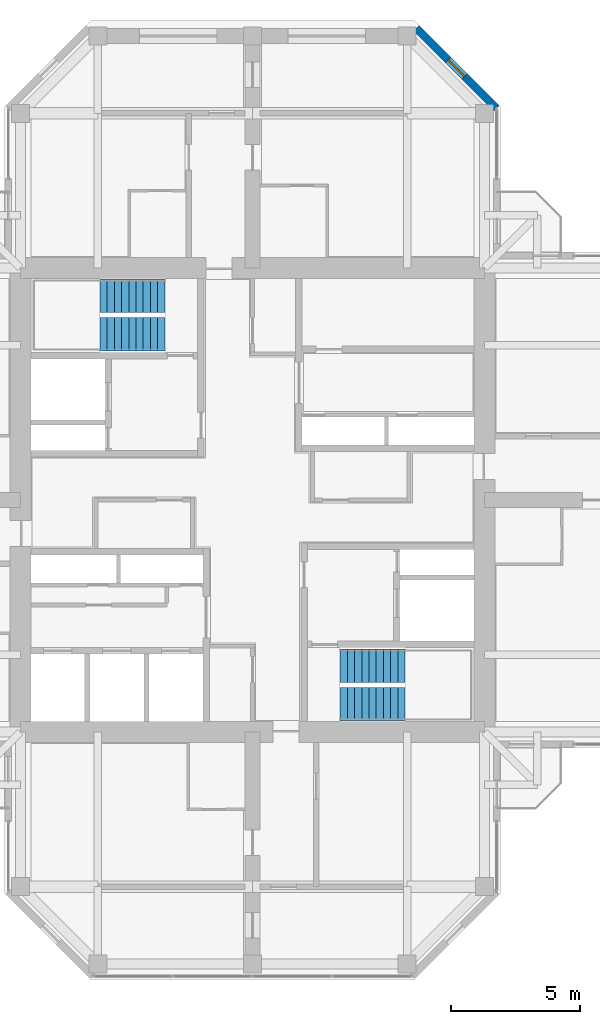
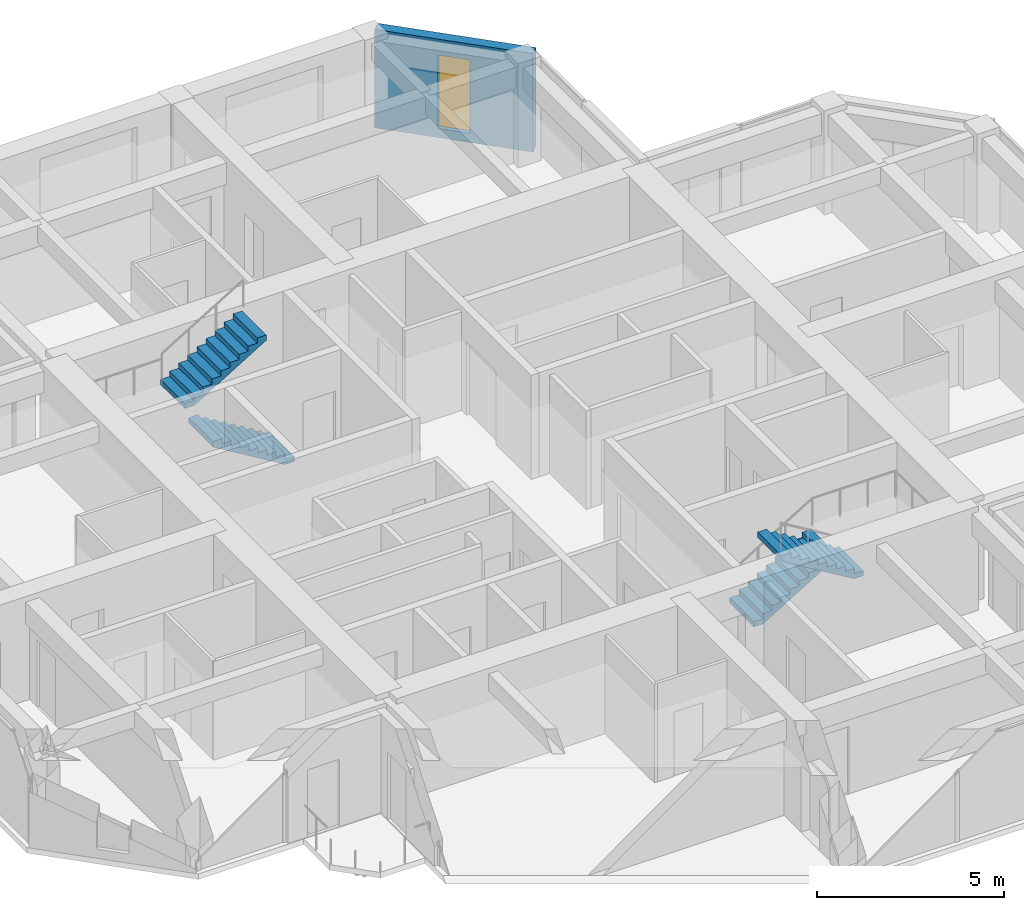
# One storey, part 12 of 13: 4 stair flights, 1 wall, 1 window, 1 opening, 2 elements without a shape of their own.
"""IFC4 building model written with IfcOpenShell, lengths in metres."""

from ifc_helpers import new_model, si_unit, direction, frame, frame_2d, origin, place, context, subcontext, project, spatial, polyline, rectangle, hollow_rectangle, outline, extrude, material, layer, layer_set, constituent, constituent_set, type_object, element, fill, aggregate, save


model = new_model("IFC4")

# Units and contexts
model_context = context("Model", 3, precision=1e-05, world=origin(), true_north=direction((0.0, 1.0)))
body_context = subcontext(model_context, "Body", "Model", "MODEL_VIEW")
ifc_project = project(units=[si_unit("LENGTHUNIT", "METRE"), si_unit("AREAUNIT", "SQUARE_METRE"), si_unit("VOLUMEUNIT", "CUBIC_METRE"), si_unit("PLANEANGLEUNIT", "RADIAN"), si_unit("MASSUNIT", "GRAM", prefix="KILO")], contexts=[model_context])

# Site, building, storey
site_placement = place(None, origin())
site = spatial("IfcSite", under=ifc_project, at=site_placement, CompositionType="ELEMENT")
building_placement = place(site_placement, origin())
building = spatial("IfcBuilding", under=site, at=building_placement, Name="Torre Cruceta", CompositionType="ELEMENT")
storey_placement = place(building_placement, frame((0.0, 0.0, 274.699951171875)))
storey = spatial("IfcBuildingStorey", under=building, at=storey_placement, Name="L71", CompositionType="ELEMENT", Elevation=274.699951171875)

# Wall, opening, window
ifc_material_1 = material(Name="Concrete G30 (fck 30 MPa)", Category="concrete")
ifc_layer = layer(ifc_material_1, 0.300048828125)
ifc_layer_set = layer_set([ifc_layer], Name="Concrete G30 (fck 30 MPa)")
wall_type = type_object("IfcWallType", Name="EXPOSED CONCRETE FACADE WALL 300", PredefinedType="SOLIDWALL", material=ifc_layer_set)
wall_placement = place(storey_placement, frame((9.469970703125, 15.194580078125, 0.0), z_axis=(0.0, 0.0, 1.0), x_axis=(-0.70707898447, 0.707134576811, 0.0)))
wall = element("IfcWall", 1, at=wall_placement, inside=storey, type_object=wall_type, Name="EW1 facade wall L71 N chamfer 06", PredefinedType="SOLIDWALL", context=body_context, shape_type="SweptSolid", body=[
    extrude(rectangle(XDim=4.3916015625, YDim=0.300048828125, at=frame_2d((2.19580078125, 0.0))), origin(), (0.0, 0.0, 1.0), 3.219970703125),
])
opening_placement = place(wall_placement, frame((1.745849609375, 0.0, 0.300048828125)))
opening = element("IfcOpeningElement", 2, at=opening_placement, cuts=wall, Name="Opening WN5", PredefinedType="OPENING", context=body_context, shape_type="SweptSolid", body=[
    extrude(rectangle(XDim=0.89990234375, YDim=2.39990234375, at=frame_2d((0.449951171875, 1.199951171875))), frame((0.0, 0.159912109375, 0.0), z_axis=(0.0, -1.0, 0.0), x_axis=(1.0, 0.0, 0.0)), (0.0, 0.0, 1.0), 0.320068359375),
])
ifc_material_2 = material(Name="Aluminium window frame", Category="aluminium")
ifc_constituent_1 = constituent(ifc_material_2, Name="Frame")
ifc_material_3 = material(Name="Laminated insulating glass unit, low-iron clear", Category="glass")
ifc_constituent_2 = constituent(ifc_material_3, Name="Glazing")
ifc_constituent_set = constituent_set(constituents=[ifc_constituent_1, ifc_constituent_2], Name="Aluminium window")
window_type = type_object("IfcWindowType", Name="CHAMFER SLOT WINDOW 900X2400", PartitioningType="SINGLE_PANEL", PredefinedType="WINDOW", material=ifc_constituent_set)
window_placement = place(opening_placement, origin())
window = element("IfcWindow", 3, at=window_placement, inside=storey, type_object=window_type, Name="WN5 L71 N 1", OverallHeight=2.39990234375, OverallWidth=0.89990234375, PartitioningType="SINGLE_PANEL", PredefinedType="WINDOW", context=body_context, shape_type="SweptSolid", body=[
    extrude(hollow_rectangle(XDim=0.89990234375, YDim=2.39990234375, WallThickness=0.06005859375, at=frame_2d((0.449951171875, 1.199951171875))), frame((0.0, 0.030029296875, 0.0), z_axis=(0.0, -1.0, 0.0), x_axis=(1.0, 0.0, 0.0)), (0.0, 0.0, 1.0), 0.06005859375),
    extrude(rectangle(XDim=0.77880859375, YDim=2.27880859375, at=frame_2d((0.449951171875, 1.199951171875))), frame((0.0, 0.030029296875, 0.0), z_axis=(0.0, -1.0, 0.0), x_axis=(1.0, 0.0, 0.0)), (0.0, 0.0, 1.0), 0.06005859375),
])
fill(opening, window)

# Stair, stair flights
ifc_material_4 = material(Name="Concrete G30 (fck 30 MPa)", Category="concrete")
stair_type = type_object("IfcStairType", Name="STAIR HALF-TURN 1300", PredefinedType="HALF_TURN_STAIR", material=ifc_material_4)
stair_1_placement = place(storey_placement, origin())
stair_1 = element("IfcStair", 4, at=stair_1_placement, inside=storey, type_object=stair_type, Name="Stair ST1 L71", PredefinedType="HALF_TURN_STAIR")
ifc_material_5 = material(Name="Concrete G30 (fck 30 MPa)", Category="concrete")
stair_flight_type = type_object("IfcStairFlightType", Name="STAIR FLIGHT 1300", PredefinedType="STRAIGHT", material=ifc_material_5)
stair_flight_1_placement = place(storey_placement, frame((-3.39990234375, 6.425048828125, 0.0), z_axis=(0.0, 0.0, 1.0), x_axis=(-1.0, 0.0, 0.0)))
stair_flight_1 = element("IfcStairFlight", 5, at=stair_flight_1_placement, type_object=stair_flight_type, Name="ST1 flight 1", NumberOfRisers=10, NumberOfTreads=9, PredefinedType="STRAIGHT", RiserHeight=0.17, TreadLength=0.28, context=body_context, shape_type="SweptSolid", body=[
    extrude(outline(polyline([(0.0, 0.0), (0.0, 0.169921875), (0.280029296875, 0.169921875), (0.280029296875, 0.340087890625), (0.56005859375, 0.340087890625), (0.56005859375, 0.510009765625), (0.840087890625, 0.510009765625), (0.840087890625, 0.679931640625), (1.1201171875, 0.679931640625), (1.1201171875, 0.85009765625), (1.39990234375, 0.85009765625), (1.39990234375, 1.02001953125), (1.679931640625, 1.02001953125), (1.679931640625, 1.18994140625), (1.9599609375, 1.18994140625), (1.9599609375, 1.360107421875), (2.239990234375, 1.360107421875), (2.239990234375, 1.530029296875), (2.52001953125, 1.530029296875), (2.52001953125, 1.699951171875), (2.52001953125, 1.354736328125), (0.288818359375, 0.0), (0.0, 0.0)])), frame((0.0, 0.64990234375, 0.0), z_axis=(0.0, -1.0, 0.0), x_axis=(1.0, 0.0, 0.0)), (0.0, 0.0, 1.0), 1.300048828125),
])
stair_flight_2_placement = place(storey_placement, frame((-5.919921875, 7.925048828125, 1.699951171875), z_axis=(0.0, 0.0, 1.0), x_axis=(1.0, 0.0, 0.0)))
stair_flight_2 = element("IfcStairFlight", 6, at=stair_flight_2_placement, type_object=stair_flight_type, Name="ST1 flight 2", NumberOfRisers=10, NumberOfTreads=9, PredefinedType="STRAIGHT", RiserHeight=0.17, TreadLength=0.28, context=body_context, shape_type="SweptSolid", body=[
    extrude(outline(polyline([(0.0, 0.0), (0.0, 0.169921875), (0.280029296875, 0.169921875), (0.280029296875, 0.340087890625), (0.56005859375, 0.340087890625), (0.56005859375, 0.510009765625), (0.840087890625, 0.510009765625), (0.840087890625, 0.679931640625), (1.1201171875, 0.679931640625), (1.1201171875, 0.85009765625), (1.39990234375, 0.85009765625), (1.39990234375, 1.02001953125), (1.679931640625, 1.02001953125), (1.679931640625, 1.18994140625), (1.9599609375, 1.18994140625), (1.9599609375, 1.360107421875), (2.239990234375, 1.360107421875), (2.239990234375, 1.530029296875), (2.52001953125, 1.530029296875), (2.52001953125, 1.699951171875), (2.52001953125, 1.354736328125), (0.288818359375, 0.0), (0.0, 0.0)])), frame((0.0, 0.64990234375, 0.0), z_axis=(0.0, -1.0, 0.0), x_axis=(1.0, 0.0, 0.0)), (0.0, 0.0, 1.0), 1.300048828125),
])
aggregate(stair_1, [stair_flight_1, stair_flight_2])

stair_2_placement = place(storey_placement, origin())
stair_2 = element("IfcStair", 7, at=stair_2_placement, inside=storey, type_object=stair_type, Name="Stair ST2 L71", PredefinedType="HALF_TURN_STAIR")
stair_flight_3_placement = place(storey_placement, frame((3.39990234375, -6.425048828125, 0.0), z_axis=(0.0, 0.0, 1.0), x_axis=(1.0, 0.0, 0.0)))
stair_flight_3 = element("IfcStairFlight", 8, at=stair_flight_3_placement, type_object=stair_flight_type, Name="ST2 flight 1", NumberOfRisers=10, NumberOfTreads=9, PredefinedType="STRAIGHT", RiserHeight=0.17, TreadLength=0.28, context=body_context, shape_type="SweptSolid", body=[
    extrude(outline(polyline([(0.0, 0.0), (0.0, 0.169921875), (0.280029296875, 0.169921875), (0.280029296875, 0.340087890625), (0.56005859375, 0.340087890625), (0.56005859375, 0.510009765625), (0.840087890625, 0.510009765625), (0.840087890625, 0.679931640625), (1.1201171875, 0.679931640625), (1.1201171875, 0.85009765625), (1.39990234375, 0.85009765625), (1.39990234375, 1.02001953125), (1.679931640625, 1.02001953125), (1.679931640625, 1.18994140625), (1.9599609375, 1.18994140625), (1.9599609375, 1.360107421875), (2.239990234375, 1.360107421875), (2.239990234375, 1.530029296875), (2.52001953125, 1.530029296875), (2.52001953125, 1.699951171875), (2.52001953125, 1.354736328125), (0.288818359375, 0.0), (0.0, 0.0)])), frame((0.0, 0.64990234375, 0.0), z_axis=(0.0, -1.0, 0.0), x_axis=(1.0, 0.0, 0.0)), (0.0, 0.0, 1.0), 1.300048828125),
])
stair_flight_4_placement = place(storey_placement, frame((5.919921875, -7.925048828125, 1.699951171875), z_axis=(0.0, 0.0, 1.0), x_axis=(-1.0, 0.0, 0.0)))
stair_flight_4 = element("IfcStairFlight", 9, at=stair_flight_4_placement, type_object=stair_flight_type, Name="ST2 flight 2", NumberOfRisers=10, NumberOfTreads=9, PredefinedType="STRAIGHT", RiserHeight=0.17, TreadLength=0.28, context=body_context, shape_type="SweptSolid", body=[
    extrude(outline(polyline([(0.0, 0.0), (0.0, 0.169921875), (0.280029296875, 0.169921875), (0.280029296875, 0.340087890625), (0.56005859375, 0.340087890625), (0.56005859375, 0.510009765625), (0.840087890625, 0.510009765625), (0.840087890625, 0.679931640625), (1.1201171875, 0.679931640625), (1.1201171875, 0.85009765625), (1.39990234375, 0.85009765625), (1.39990234375, 1.02001953125), (1.679931640625, 1.02001953125), (1.679931640625, 1.18994140625), (1.9599609375, 1.18994140625), (1.9599609375, 1.360107421875), (2.239990234375, 1.360107421875), (2.239990234375, 1.530029296875), (2.52001953125, 1.530029296875), (2.52001953125, 1.699951171875), (2.52001953125, 1.354736328125), (0.288818359375, 0.0), (0.0, 0.0)])), frame((0.0, 0.64990234375, 0.0), z_axis=(0.0, -1.0, 0.0), x_axis=(1.0, 0.0, 0.0)), (0.0, 0.0, 1.0), 1.300048828125),
])
aggregate(stair_2, [stair_flight_3, stair_flight_4])

save(model, "model.ifc")
